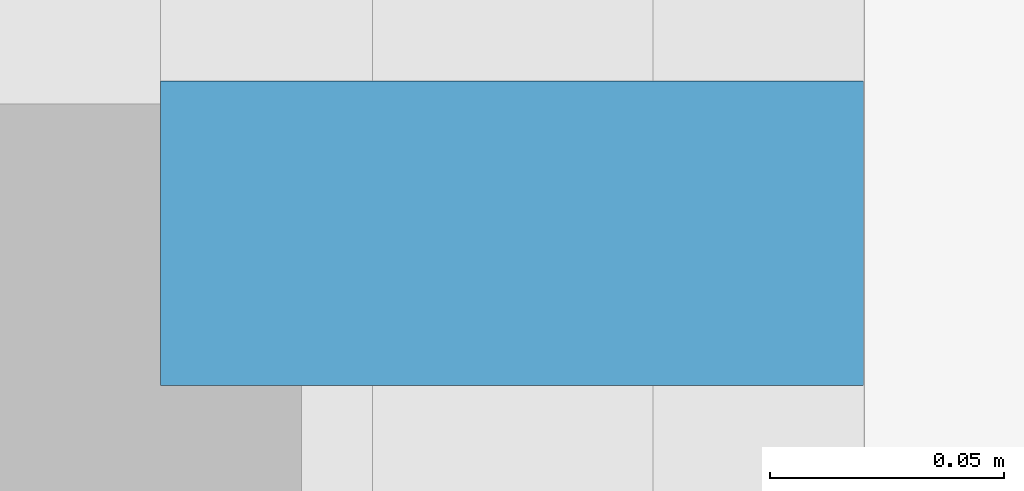
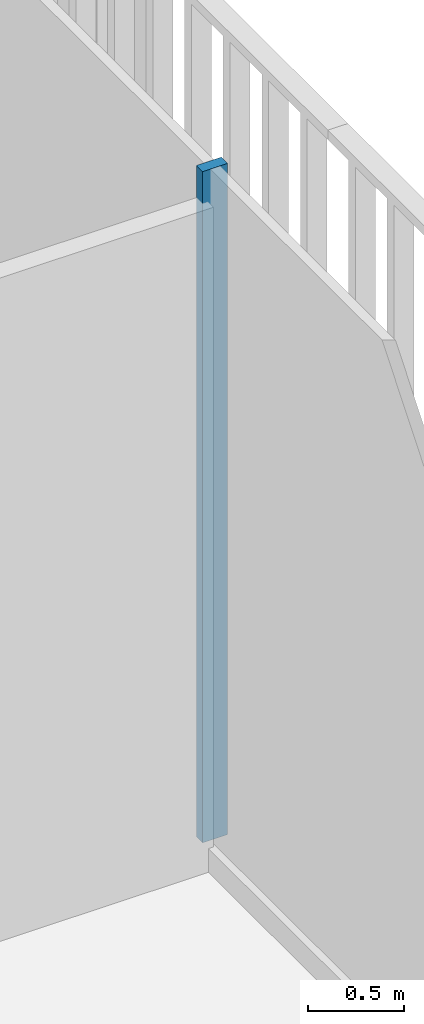
# One storey, part 10 of 21: 1 member, 1 element without a shape of its own.
"""IFC4 building model written with IfcOpenShell, lengths in metres."""

from ifc_helpers import new_model, si_unit, direction, frame, origin, origin_2d, place, context, subcontext, project, spatial, rectangle, extrude, material, layer, layer_set, material_profile, profile_set, type_object, element, aggregate, save


model = new_model("IFC4")

# Units and contexts
model_context = context("Model", 3, precision=1e-05, world=origin(), true_north=direction((0.0, 1.0)))
body_context = subcontext(model_context, "Body", "Model", "MODEL_VIEW")
ifc_project = project(units=[si_unit("LENGTHUNIT", "METRE"), si_unit("AREAUNIT", "SQUARE_METRE"), si_unit("VOLUMEUNIT", "CUBIC_METRE"), si_unit("PLANEANGLEUNIT", "RADIAN"), si_unit("MASSUNIT", "GRAM", prefix="KILO")], contexts=[model_context])

# Site, building, storey
site_placement = place(None, origin())
site = spatial("IfcSite", under=ifc_project, at=site_placement, CompositionType="ELEMENT")
building_placement = place(site_placement, origin())
building = spatial("IfcBuilding", under=site, at=building_placement, Name="Millrace Tower", CompositionType="ELEMENT")
storey_placement = place(building_placement, frame((0.0, 0.0, 95.199951171875)))
storey = spatial("IfcBuildingStorey", under=building, at=storey_placement, Name="L21", CompositionType="ELEMENT", Elevation=95.199951171875)

# Curtain wall, member
ifc_material_1 = material(Name="Aluminium and glass", Category="aluminium")
ifc_layer = layer(ifc_material_1, 0.14990234375)
ifc_layer_set = layer_set([ifc_layer], Name="Aluminium and glass")
curtain_wall_type = type_object("IfcCurtainWallType", Name="CW-3 telecom floor curtain wall", PredefinedType="NOTDEFINED", material=ifc_layer_set)
curtain_wall_placement = place(storey_placement, origin())
curtain_wall = element("IfcCurtainWall", 1, at=curtain_wall_placement, inside=storey, type_object=curtain_wall_type, Name="Curtain wall B-F04 L21", PredefinedType="NOTDEFINED")
ifc_material_2 = material(Name="Aluminium", Category="aluminium")
ifc_material_profile = material_profile(ifc_material_2, rectangle(XDim=0.06494140625, YDim=0.14990234375, at=origin_2d()))
ifc_profile_set = profile_set([ifc_material_profile], Name="Aluminium")
member_type = type_object("IfcMemberType", Name="CW-3 telecom floor curtain wall mullion", PredefinedType="MULLION", material=ifc_profile_set)
member_placement = place(storey_placement, frame((28.27490234375, -2.66748046875, 0.150146484375), z_axis=(0.0, 0.0, 1.0), x_axis=(0.0, 1.0, 0.0)))
member = element("IfcMember", 2, at=member_placement, type_object=member_type, Name="CW3 mullion B-F04.6", PredefinedType="MULLION", context=body_context, shape_type="SweptSolid", body=[
    extrude(rectangle(XDim=0.06494140625, YDim=0.14990234375, at=origin_2d()), origin(), (0.0, 0.0, 1.0), 4.25),
])
aggregate(curtain_wall, [member])

save(model, "model.ifc")
